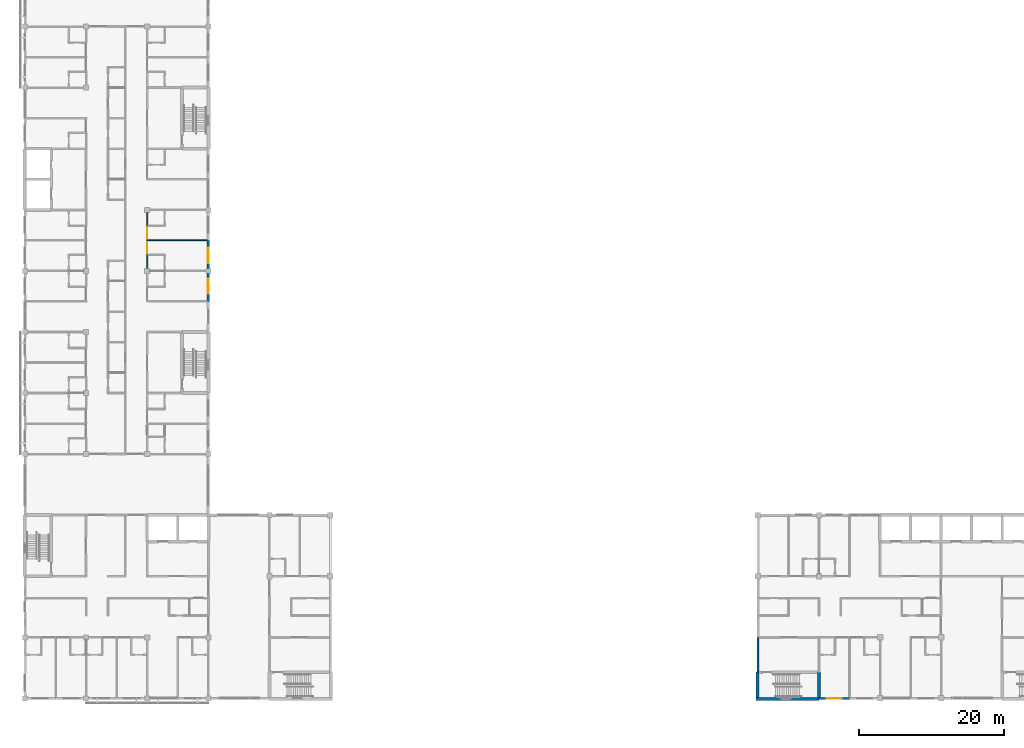
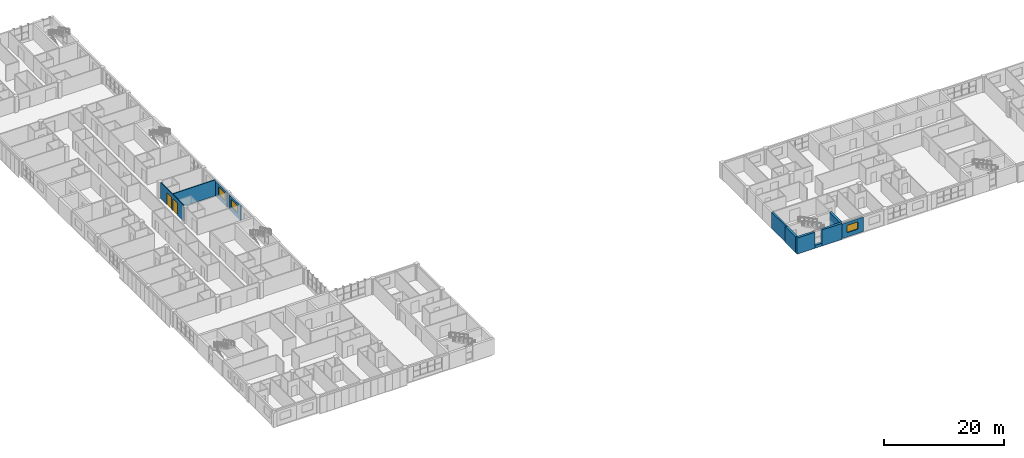
# One storey, part 29 of 46: 11 walls, 3 windows, 2 doors, 5 openings.
"""IFC4 building model written with IfcOpenShell, lengths in metres."""

from ifc_helpers import new_model, si_unit, direction, frame, frame_2d, origin, place, context, subcontext, project, spatial, rectangle, extrude, material, layer, layer_set, type_object, element, fill, save


model = new_model("IFC4")

# Units and contexts
model_context = context("Model", 3, precision=1e-05, world=origin(), true_north=direction((0.0, 1.0)))
body_context = subcontext(model_context, "Body", "Model", "MODEL_VIEW")
ifc_project = project(units=[si_unit("LENGTHUNIT", "METRE"), si_unit("AREAUNIT", "SQUARE_METRE"), si_unit("VOLUMEUNIT", "CUBIC_METRE"), si_unit("PLANEANGLEUNIT", "RADIAN"), si_unit("MASSUNIT", "GRAM", prefix="KILO")], contexts=[model_context])

# Site, building, storey
site_placement = place(None, origin())
site = spatial("IfcSite", under=ifc_project, at=site_placement, CompositionType="ELEMENT")
building_placement = place(site_placement, origin())
building = spatial("IfcBuilding", under=site, at=building_placement, Name="Yavir Park General Hospital", CompositionType="ELEMENT")
storey_placement = place(building_placement, frame((0.0, 0.0, 18.89990234375)))
storey = spatial("IfcBuildingStorey", under=building, at=storey_placement, Name="L04", CompositionType="ELEMENT", Elevation=18.89990234375)

# Wall
ifc_material_1 = material(Name="Gypsum board partition on steel studs", Category="steel")
ifc_layer_1 = layer(ifc_material_1, 0.14990234375)
ifc_layer_set_1 = layer_set([ifc_layer_1], Name="Gypsum board partition on steel studs")
wall_type_1 = type_object("IfcWallType", Name="Gypsum board partition 150", PredefinedType="PARTITIONING", material=ifc_layer_set_1)
wall_1_placement = place(storey_placement, frame((16.875, 63.0, 0.0), z_axis=(0.0, 0.0, 1.0), x_axis=(1.0, 0.0, 0.0)))
element("IfcWall", 1, at=wall_1_placement, inside=storey, type_object=wall_type_1, Name="P15 L04-092", PredefinedType="PARTITIONING", context=body_context, shape_type="SweptSolid", body=[
    extrude(rectangle(XDim=8.175048828125, YDim=0.14990234375, at=frame_2d((4.08740234375, 0.0))), origin(), (0.0, 0.0, 1.0), 3.260009765625),
])

# Wall, openings, doors
wall_2_placement = place(storey_placement, frame((16.800048828125, 59.14990234375, 0.0), z_axis=(0.0, 0.0, 1.0), x_axis=(0.0, 1.0, 0.0)))
wall_2 = element("IfcWall", 2, at=wall_2_placement, inside=storey, type_object=wall_type_1, Name="P15 L04-192", PredefinedType="PARTITIONING", context=body_context, shape_type="SweptSolid", body=[
    extrude(rectangle(XDim=7.7001953125, YDim=0.14990234375, at=frame_2d((3.85009765625, 0.0))), origin(), (0.0, 0.0, 1.0), 3.260009765625),
])
opening_1_placement = place(wall_2_placement, frame((2.10009765625, 0.0, 0.0)))
opening_1 = element("IfcOpeningElement", 3, at=opening_1_placement, cuts=wall_2, Name="Opening L04.D119", PredefinedType="OPENING", context=body_context, shape_type="SweptSolid", body=[
    extrude(rectangle(XDim=1.5, YDim=2.39990234375, at=frame_2d((0.75, 1.199951171875))), frame((0.0, 0.0849609375, 0.0), z_axis=(0.0, -1.0, 0.0), x_axis=(1.0, 0.0, 0.0)), (0.0, 0.0, 1.0), 0.169921875),
])
opening_2_placement = place(wall_2_placement, frame((4.10009765625, 0.0, 0.0)))
opening_2 = element("IfcOpeningElement", 4, at=opening_2_placement, cuts=wall_2, Name="Opening L04.D120", PredefinedType="OPENING", context=body_context, shape_type="SweptSolid", body=[
    extrude(rectangle(XDim=1.5, YDim=2.39990234375, at=frame_2d((0.75, 1.199951171875))), frame((0.0, 0.0849609375, 0.0), z_axis=(0.0, -1.0, 0.0), x_axis=(1.0, 0.0, 0.0)), (0.0, 0.0, 1.0), 0.169921875),
])
ifc_material_2 = material(Name="Solid-core timber leaves, push plates, kick plates", Category="wood")
door_type = type_object("IfcDoorType", Name="Bed door, unequal leaves 1500 x 2400", OperationType="DOUBLE_DOOR_SINGLE_SWING", PredefinedType="DOOR", material=ifc_material_2)
door_1_placement = place(opening_1_placement, origin())
door_1 = element("IfcDoor", 5, at=door_1_placement, inside=storey, type_object=door_type, Name="L04.D119", OperationType="SINGLE_SWING_LEFT", OverallHeight=2.39990234375, OverallWidth=1.5, PredefinedType="DOOR", context=body_context, shape_type="SweptSolid", body=[
    extrude(rectangle(XDim=1.5, YDim=2.39990234375, at=frame_2d((0.75, 1.199951171875))), frame((0.0, 0.030029296875, 0.0), z_axis=(0.0, -1.0, 0.0), x_axis=(1.0, 0.0, 0.0)), (0.0, 0.0, 1.0), 0.06005859375),
])
fill(opening_1, door_1)
door_2_placement = place(opening_2_placement, origin())
door_2 = element("IfcDoor", 6, at=door_2_placement, inside=storey, type_object=door_type, Name="L04.D120", OperationType="SINGLE_SWING_LEFT", OverallHeight=2.39990234375, OverallWidth=1.5, PredefinedType="DOOR", context=body_context, shape_type="SweptSolid", body=[
    extrude(rectangle(XDim=1.5, YDim=2.39990234375, at=frame_2d((0.75, 1.199951171875))), frame((0.0, 0.030029296875, 0.0), z_axis=(0.0, -1.0, 0.0), x_axis=(1.0, 0.0, 0.0)), (0.0, 0.0, 1.0), 0.06005859375),
])
fill(opening_2, door_2)

# Wall, opening, window
ifc_material_3 = material(Name="Autoclaved aerated block, mineral wool and ochre mineral render")
ifc_layer_2 = layer(ifc_material_3, 0.300048828125)
ifc_layer_set_2 = layer_set([ifc_layer_2], Name="Autoclaved aerated block, mineral wool and ochre mineral render")
wall_type_2 = type_object("IfcWallType", Name="Ochre render ward wall 300, E 30", PredefinedType="SOLIDWALL", material=ifc_layer_set_2)
wall_3_placement = place(storey_placement, frame((109.199951171875, 0.0, 0.0), z_axis=(0.0, 0.0, 1.0), x_axis=(1.0, 0.0, 0.0)))
wall_3 = element("IfcWall", 7, at=wall_3_placement, inside=storey, type_object=wall_type_2, Name="XW7 L04-016", PredefinedType="SOLIDWALL", context=body_context, shape_type="SweptSolid", body=[
    extrude(rectangle(XDim=4.199951171875, YDim=0.300048828125, at=frame_2d((2.10009765625, 0.0))), origin(), (0.0, 0.0, 1.0), 2.960205078125),
])
opening_3_placement = place(wall_3_placement, frame((1.050048828125, 0.0, 0.89990234375)))
opening_3 = element("IfcOpeningElement", 8, at=opening_3_placement, cuts=wall_3, Name="Opening WAR", PredefinedType="OPENING", context=body_context, shape_type="SweptSolid", body=[
    extrude(rectangle(XDim=2.10009765625, YDim=1.5, at=frame_2d((1.050048828125, 0.75))), frame((0.0, 0.159912109375, 0.0), z_axis=(0.0, -1.0, 0.0), x_axis=(1.0, 0.0, 0.0)), (0.0, 0.0, 1.0), 0.320068359375),
])
ifc_material_4 = material(Name="Aluminium frame, tilt-and-turn sash with opening restrictor, double glazed unit", Category="aluminium")
window_type = type_object("IfcWindowType", Name="Ward window, restricted opening 2100 x 1500", PartitioningType="DOUBLE_PANEL_VERTICAL", PredefinedType="WINDOW", material=ifc_material_4)
window_1_placement = place(opening_3_placement, origin())
window_1 = element("IfcWindow", 9, at=window_1_placement, inside=storey, type_object=window_type, Name="WAR L04-006", OverallHeight=1.5, OverallWidth=2.10009765625, PartitioningType="DOUBLE_PANEL_VERTICAL", PredefinedType="WINDOW", context=body_context, shape_type="SweptSolid", body=[
    extrude(rectangle(XDim=2.10009765625, YDim=1.5, at=frame_2d((1.050048828125, 0.75))), frame((0.0, 0.050048828125, 0.0), z_axis=(0.0, -1.0, 0.0), x_axis=(1.0, 0.0, 0.0)), (0.0, 0.0, 1.0), 0.10009765625),
])
fill(opening_3, window_1)

wall_4_placement = place(storey_placement, frame((25.199951171875, 54.60009765625, 0.0), z_axis=(0.0, 0.0, 1.0), x_axis=(0.0, 1.0, 0.0)))
wall_4 = element("IfcWall", 10, at=wall_4_placement, inside=storey, type_object=wall_type_2, Name="XW7 L04-111", PredefinedType="SOLIDWALL", context=body_context, shape_type="SweptSolid", body=[
    extrude(rectangle(XDim=3.849853515625, YDim=0.300048828125, at=frame_2d((1.9248046875, 0.0))), origin(), (0.0, 0.0, 1.0), 2.960205078125),
])
opening_4_placement = place(wall_4_placement, frame((1.050048828125, 0.0, 0.89990234375)))
opening_4 = element("IfcOpeningElement", 11, at=opening_4_placement, cuts=wall_4, Name="Opening WAR", PredefinedType="OPENING", context=body_context, shape_type="SweptSolid", body=[
    extrude(rectangle(XDim=2.10009765625, YDim=1.5, at=frame_2d((1.050048828125, 0.75))), frame((0.0, 0.159912109375, 0.0), z_axis=(0.0, -1.0, 0.0), x_axis=(1.0, 0.0, 0.0)), (0.0, 0.0, 1.0), 0.320068359375),
])
window_2_placement = place(opening_4_placement, origin())
window_2 = element("IfcWindow", 12, at=window_2_placement, inside=storey, type_object=window_type, Name="WAR L04-043", OverallHeight=1.5, OverallWidth=2.10009765625, PartitioningType="DOUBLE_PANEL_VERTICAL", PredefinedType="WINDOW", context=body_context, shape_type="SweptSolid", body=[
    extrude(rectangle(XDim=2.10009765625, YDim=1.5, at=frame_2d((1.050048828125, 0.75))), frame((0.0, 0.050048828125, 0.0), z_axis=(0.0, -1.0, 0.0), x_axis=(1.0, 0.0, 0.0)), (0.0, 0.0, 1.0), 0.10009765625),
])
fill(opening_4, window_2)

wall_5_placement = place(storey_placement, frame((25.199951171875, 59.14990234375, 0.0), z_axis=(0.0, 0.0, 1.0), x_axis=(0.0, 1.0, 0.0)))
wall_5 = element("IfcWall", 13, at=wall_5_placement, inside=storey, type_object=wall_type_2, Name="XW7 L04-112", PredefinedType="SOLIDWALL", context=body_context, shape_type="SweptSolid", body=[
    extrude(rectangle(XDim=3.85009765625, YDim=0.300048828125, at=frame_2d((1.925048828125, 0.0))), origin(), (0.0, 0.0, 1.0), 2.960205078125),
])
opening_5_placement = place(wall_5_placement, frame((0.699951171875, 0.0, 0.89990234375)))
opening_5 = element("IfcOpeningElement", 14, at=opening_5_placement, cuts=wall_5, Name="Opening WAR", PredefinedType="OPENING", context=body_context, shape_type="SweptSolid", body=[
    extrude(rectangle(XDim=2.10009765625, YDim=1.5, at=frame_2d((1.050048828125, 0.75))), frame((0.0, 0.159912109375, 0.0), z_axis=(0.0, -1.0, 0.0), x_axis=(1.0, 0.0, 0.0)), (0.0, 0.0, 1.0), 0.320068359375),
])
window_3_placement = place(opening_5_placement, origin())
window_3 = element("IfcWindow", 15, at=window_3_placement, inside=storey, type_object=window_type, Name="WAR L04-044", OverallHeight=1.5, OverallWidth=2.10009765625, PartitioningType="DOUBLE_PANEL_VERTICAL", PredefinedType="WINDOW", context=body_context, shape_type="SweptSolid", body=[
    extrude(rectangle(XDim=2.10009765625, YDim=1.5, at=frame_2d((1.050048828125, 0.75))), frame((0.0, 0.050048828125, 0.0), z_axis=(0.0, -1.0, 0.0), x_axis=(1.0, 0.0, 0.0)), (0.0, 0.0, 1.0), 0.10009765625),
])
fill(opening_5, window_3)

# Walls
wall_6_placement = place(storey_placement, frame((100.800048828125, 3.60009765625, 0.0), z_axis=(0.0, 0.0, 1.0), x_axis=(0.0, 1.0, 0.0)))
element("IfcWall", 16, at=wall_6_placement, inside=storey, type_object=wall_type_2, Name="XW7 L04-136", PredefinedType="SOLIDWALL", context=body_context, shape_type="SweptSolid", body=[
    extrude(rectangle(XDim=4.7998046875, YDim=0.300048828125, at=frame_2d((2.39990234375, 0.0))), origin(), (0.0, 0.0, 1.0), 3.260009765625),
])
ifc_material_5 = material(Name="Concrete C35/45", Category="concrete")
ifc_layer_3 = layer(ifc_material_5, 0.39990234375)
ifc_layer_set_3 = layer_set([ifc_layer_3], Name="Concrete C35/45")
wall_type_3 = type_object("IfcWallType", Name="Reinforced concrete core wall 400, REI 150", PredefinedType="SHEAR", material=ifc_layer_set_3)
wall_7_placement = place(storey_placement, frame((109.199951171875, 0.14990234375, 0.0), z_axis=(0.0, 0.0, 1.0), x_axis=(0.0, 1.0, 0.0)))
element("IfcWall", 17, at=wall_7_placement, inside=storey, type_object=wall_type_3, Name="CW40 L04-228", PredefinedType="SHEAR", context=body_context, shape_type="SweptSolid", body=[
    extrude(rectangle(XDim=3.4501953125, YDim=0.39990234375, at=frame_2d((1.72509765625, 0.0))), origin(), (0.0, 0.0, 1.0), 3.260009765625),
])
ifc_material_6 = material(Name="Concrete C30/37 precast panel with 150 mm mineral wool insulation", Category="concrete")
ifc_layer_4 = layer(ifc_material_6, 0.449951171875)
ifc_layer_set_4 = layer_set([ifc_layer_4], Name="Concrete C30/37 precast panel with 150 mm mineral wool insulation")
wall_type_4 = type_object("IfcWallType", Name="Stair enclosure wall 450, REI 150", PredefinedType="SOLIDWALL", material=ifc_layer_set_4)
wall_8_placement = place(storey_placement, frame((100.5, -0.074951171875, 0.0), z_axis=(0.0, 0.0, 1.0), x_axis=(1.0, 0.0, 0.0)))
element("IfcWall", 18, at=wall_8_placement, inside=storey, type_object=wall_type_4, Name="XW6 L04-013", PredefinedType="SOLIDWALL", context=body_context, shape_type="SweptSolid", body=[
    extrude(rectangle(XDim=3.449951171875, YDim=0.449951171875, at=frame_2d((1.72509765625, 0.0))), origin(), (0.0, 0.0, 1.0), 3.260009765625),
])
wall_9_placement = place(storey_placement, frame((105.35009765625, -0.074951171875, 0.0), z_axis=(0.0, 0.0, 1.0), x_axis=(1.0, 0.0, 0.0)))
element("IfcWall", 19, at=wall_9_placement, inside=storey, type_object=wall_type_4, Name="XW6 L04-014", PredefinedType="SOLIDWALL", context=body_context, shape_type="SweptSolid", body=[
    extrude(rectangle(XDim=3.849853515625, YDim=0.449951171875, at=frame_2d((1.9248046875, 0.0))), origin(), (0.0, 0.0, 1.0), 3.260009765625),
])
wall_10_placement = place(storey_placement, frame((103.949951171875, -0.074951171875, 0.0), z_axis=(0.0, 0.0, 1.0), x_axis=(1.0, 0.0, 0.0)))
element("IfcWall", 20, at=wall_10_placement, inside=storey, type_object=wall_type_4, Name="XW6 L04-015", PredefinedType="SOLIDWALL", context=body_context, shape_type="SweptSolid", body=[
    extrude(rectangle(XDim=1.400146484375, YDim=0.449951171875, at=frame_2d((0.7001953125, 0.0))), origin(), (0.0, 0.0, 1.0), 0.60009765625),
])
wall_11_placement = place(storey_placement, frame((100.72509765625, 0.14990234375, 0.0), z_axis=(0.0, 0.0, 1.0), x_axis=(0.0, 1.0, 0.0)))
element("IfcWall", 21, at=wall_11_placement, inside=storey, type_object=wall_type_4, Name="XW6 L04-135", PredefinedType="SOLIDWALL", context=body_context, shape_type="SweptSolid", body=[
    extrude(rectangle(XDim=3.4501953125, YDim=0.449951171875, at=frame_2d((1.72509765625, 0.0))), origin(), (0.0, 0.0, 1.0), 3.260009765625),
])

save(model, "model.ifc")
